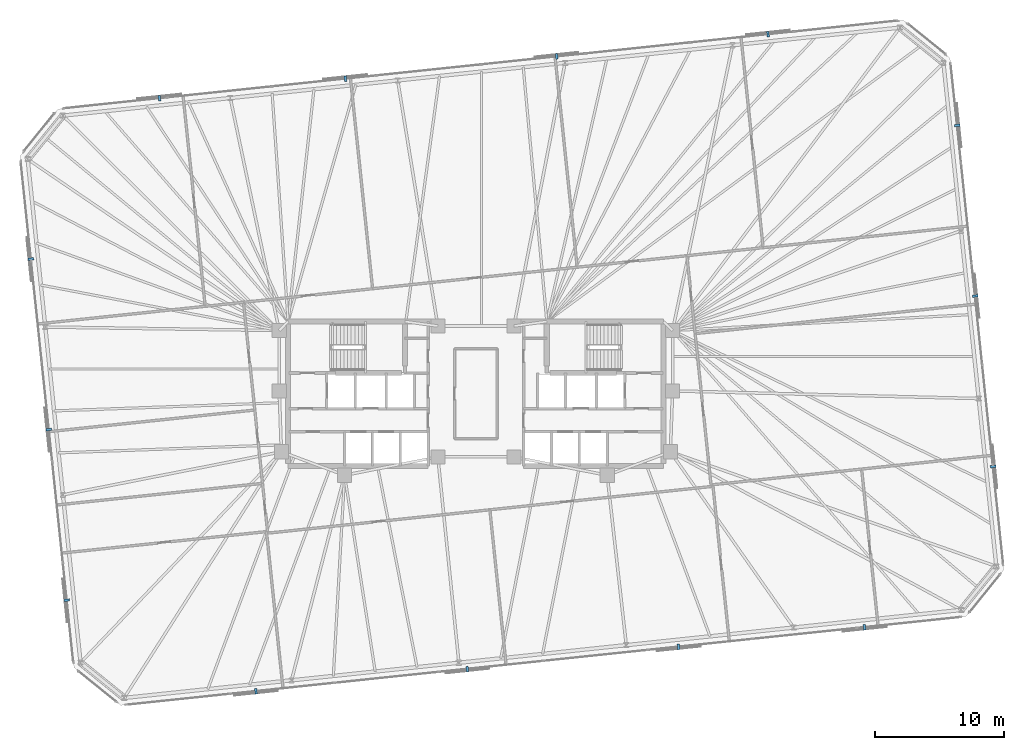
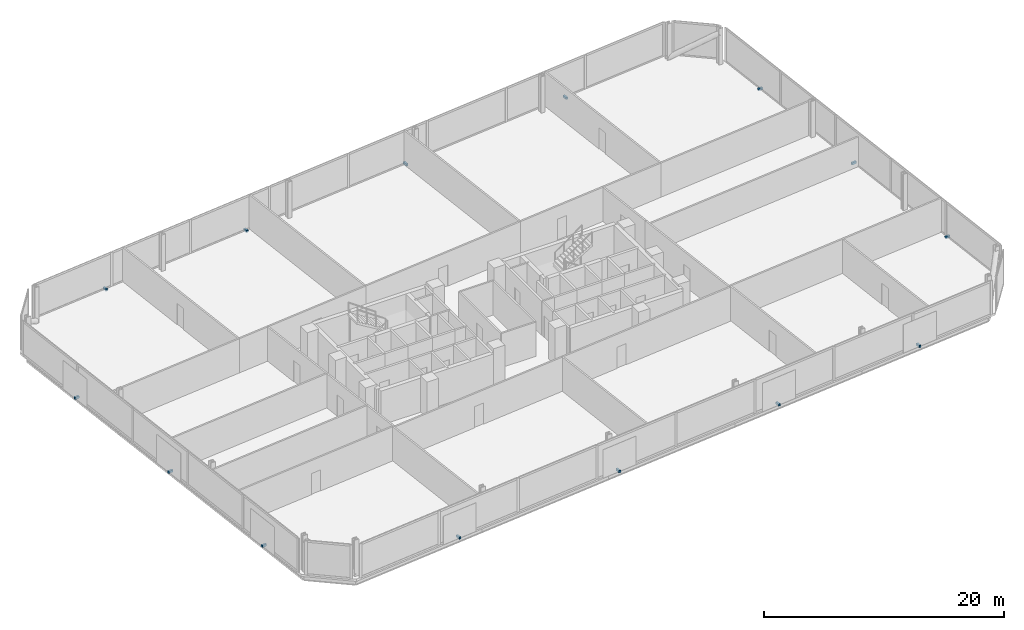
# One storey, part 17 of 18: 14 discrete accessories.
"""IFC4 building model written with IfcOpenShell, lengths in metres."""

import ifcopenshell
import ifcopenshell.guid

model = None  # the IFC model being written
_history = None  # IfcOwnerHistory: only IFC2X3 demands one
_inside = {}  # id of a spatial element -> (the spatial element, [elements in it])
_under = {}  # id of a project, library or spatial element -> (it, [spatial elements below it])
_declared = {}  # id of a project -> (the project, [libraries it declares])
_typed = {}  # id of a type object -> (the type object, [elements of that type])
_made_of = {}  # id of a material, layer set ... -> (it, [elements and type objects made of it])


def new_model(schema):
    """Start an empty IFC model of exactly this schema.

    Asked for "IFC4X3", IfcOpenShell would pick the latest addendum, in which some entities
    have other attributes; the version numbers below select the first issue.
    IFC2X3 requires an IfcOwnerHistory on every rooted entity: one is made here for all.
    """
    global model, _history
    if schema == "IFC4X3":
        model = ifcopenshell.file(schema_version=(4, 3, 0, 0))
    else:
        model = ifcopenshell.file(schema=schema)
    _inside.clear()
    _under.clear()
    _declared.clear()
    _typed.clear()
    _made_of.clear()
    _history = None
    if model.schema == "IFC2X3":
        org = make("IfcOrganization", Name="unknown")
        user = make(
            "IfcPersonAndOrganization",
            ThePerson=make("IfcPerson", FamilyName="unknown"),
            TheOrganization=org,
        )
        app = make(
            "IfcApplication",
            ApplicationDeveloper=org,
            Version="unknown",
            ApplicationFullName="unknown",
            ApplicationIdentifier="unknown",
        )
        _history = make(
            "IfcOwnerHistory",
            OwningUser=user,
            OwningApplication=app,
            ChangeAction="ADDED",
            CreationDate=0,
        )
    return model


def make(cls, **values):
    """One entity of the class cls with the attributes given. An attribute that is None is left unset."""
    return model.create_entity(
        cls, **{name: value for name, value in values.items() if value is not None}
    )


def rooted(cls, **values):
    """An entity with a GlobalId (a new one), such as an element, a storey or a relation."""
    return make(cls, GlobalId=ifcopenshell.guid.new(), OwnerHistory=_history, **values)


def si_unit(unit_type, name, prefix=None):
    """IfcSIUnit, for example si_unit("LENGTHUNIT", "METRE", prefix="MILLI")."""
    return make("IfcSIUnit", UnitType=unit_type, Prefix=prefix, Name=name)


def assignment(units):
    """IfcUnitAssignment: the units of a project."""
    return None if units is None else make("IfcUnitAssignment", Units=units)


def point(xyz):
    """IfcCartesianPoint."""
    return None if xyz is None else make("IfcCartesianPoint", Coordinates=xyz)


def direction(xyz):
    """IfcDirection."""
    return None if xyz is None else make("IfcDirection", DirectionRatios=xyz)


def frame(location, z_axis=None, x_axis=None):
    """IfcAxis2Placement3D, a coordinate frame: its origin and axes. An axis left out is left unset."""
    return make(
        "IfcAxis2Placement3D",
        Location=point(location),
        Axis=direction(z_axis),
        RefDirection=direction(x_axis),
    )


def frame_2d(location, x_axis=None):
    """IfcAxis2Placement2D, a coordinate frame in the plane: its origin and x axis."""
    return make(
        "IfcAxis2Placement2D", Location=point(location), RefDirection=direction(x_axis)
    )


def origin():
    """The frame at (0, 0, 0) with its axes left unset."""
    return frame((0.0, 0.0, 0.0))


def origin_2d():
    """The frame at (0, 0) in the plane with its x axis left unset."""
    return frame_2d((0.0, 0.0))


def place(relative_to, where):
    """IfcLocalPlacement: puts the frame where relative to a parent placement (None: the world)."""
    return make(
        "IfcLocalPlacement", PlacementRelTo=relative_to, RelativePlacement=where
    )


def context(
    kind, dimensions, precision=None, world=None, true_north=None, identifier=None
):
    """IfcGeometricRepresentationContext, for example the 3D "Model" context."""
    return make(
        "IfcGeometricRepresentationContext",
        ContextIdentifier=identifier,
        ContextType=kind,
        CoordinateSpaceDimension=dimensions,
        Precision=precision,
        WorldCoordinateSystem=world,
        TrueNorth=true_north,
    )


def subcontext(parent, identifier, kind, view, scale=None):
    """IfcGeometricRepresentationSubContext, for example "Body" below "Model"."""
    return make(
        "IfcGeometricRepresentationSubContext",
        ContextIdentifier=identifier,
        ContextType=kind,
        ParentContext=parent,
        TargetScale=scale,
        TargetView=view,
    )


def project(units=None, contexts=None):
    """IfcProject with its units and contexts."""
    return rooted(
        "IfcProject",
        Name="project",
        RepresentationContexts=contexts,
        UnitsInContext=assignment(units),
    )


def spatial(cls, under=None, at=None, **own):
    """A site, building, storey or space (cls), placed at a placement, below another one or the project."""
    s = rooted(cls, ObjectPlacement=at, **own)
    if under is not None:
        _under.setdefault(under.id(), (under, []))[1].append(s)
    return s


def profile(cls, at=None, kind="AREA", **sizes):
    """A parametric profile (cls). Its sizes go by their IFC names, for example OverallWidth=200.0."""
    return make(cls, ProfileType=kind, Position=at, **sizes)


def rectangle(**sizes):
    """IfcRectangleProfileDef."""
    return profile("IfcRectangleProfileDef", **sizes)


def extrude(swept, where, along, depth):
    """IfcExtrudedAreaSolid: the profile swept, set in the frame where, extruded along a direction by depth."""
    return make(
        "IfcExtrudedAreaSolid",
        SweptArea=swept,
        Position=where,
        ExtrudedDirection=direction(along),
        Depth=depth,
    )


def shape(context_of_items, identifier, shape_type, items):
    """IfcShapeRepresentation: the items that make up one representation, for example the "Body"."""
    return make(
        "IfcShapeRepresentation",
        ContextOfItems=context_of_items,
        RepresentationIdentifier=identifier,
        RepresentationType=shape_type,
        Items=items,
    )


def material(Name=None, Category=None):
    """IfcMaterial."""
    return make("IfcMaterial", Name=Name, Category=Category)


def made_of(thing, what):
    """Note that an element or type object is made of a material, layer set ...; save() writes the relation."""
    if what is not None:
        _made_of.setdefault(what.id(), (what, []))[1].append(thing)
    return thing


def type_object(cls, material=None, **own):
    """A type object (cls), such as IfcWallType, which elements share."""
    return made_of(rooted(cls, **own), material)


def element(
    cls,
    number,
    at=None,
    inside=None,
    cuts=None,
    type_object=None,
    material=None,
    context=None,
    identifier="Body",
    shape_type=None,
    held_by="IfcProductDefinitionShape",
    body=None,
    shapes=None,
    **own,
):
    """One element of the class cls, such as IfcWall. Its Tag is "e" and its number.

    at: its placement. inside: the storey or other place that contains it. cuts: it is an
    opening in that element (IfcRelVoidsElement). A single representation is given by context,
    identifier, shape_type and body (its items); several are given by shapes. held_by: the class
    of the entity that holds the representations. save() writes the other relations.
    """
    e = rooted(cls, Tag="e%d" % number, ObjectPlacement=at, **own)
    if body is not None:
        shapes = [shape(context, identifier, shape_type, body)]
    if shapes is not None:
        e.Representation = make(held_by, Representations=shapes)
    if inside is not None:
        _inside.setdefault(inside.id(), (inside, []))[1].append(e)
    if cuts is not None:
        rooted(
            "IfcRelVoidsElement", RelatingBuildingElement=cuts, RelatedOpeningElement=e
        )
    if type_object is not None:
        _typed.setdefault(type_object.id(), (type_object, []))[1].append(e)
    return made_of(e, material)


def aggregate(whole, parts):
    """IfcRelAggregates: a whole, such as a stair, and the parts it consists of."""
    return rooted("IfcRelAggregates", RelatingObject=whole, RelatedObjects=parts)


def save(model, path):
    """Write the relations noted so far, then the file.

    IfcRelAggregates (storeys below a building ...), IfcRelContainedInSpatialStructure (elements
    in a storey), IfcRelDefinesByType, IfcRelAssociatesMaterial and IfcRelDeclares: one each for
    every whole, place, type object, material and project.
    """
    for whole, parts in _under.values():
        aggregate(whole, parts)
    for where, things in _inside.values():
        rooted(
            "IfcRelContainedInSpatialStructure",
            RelatedElements=things,
            RelatingStructure=where,
        )
    for kind, things in _typed.values():
        rooted("IfcRelDefinesByType", RelatedObjects=things, RelatingType=kind)
    for what, things in _made_of.values():
        rooted("IfcRelAssociatesMaterial", RelatedObjects=things, RelatingMaterial=what)
    for by, libraries in _declared.values():
        rooted("IfcRelDeclares", RelatingContext=by, RelatedDefinitions=libraries)
    model.write(path)


model = new_model("IFC4")

# Units and contexts
model_context = context("Model", 3, precision=1e-05, world=origin(), true_north=direction((0.0, 1.0)))
body_context = subcontext(model_context, "Body", "Model", "MODEL_VIEW")
ifc_project = project(units=[si_unit("LENGTHUNIT", "METRE"), si_unit("AREAUNIT", "SQUARE_METRE"), si_unit("VOLUMEUNIT", "CUBIC_METRE"), si_unit("PLANEANGLEUNIT", "RADIAN"), si_unit("MASSUNIT", "GRAM", prefix="KILO")], contexts=[model_context])

# Site, building, storey
site_placement = place(None, origin())
site = spatial("IfcSite", under=ifc_project, at=site_placement, CompositionType="ELEMENT")
building_placement = place(site_placement, origin())
building = spatial("IfcBuilding", under=site, at=building_placement, Name="Menara Jurai Vektor", CompositionType="ELEMENT")
storey_placement = place(building_placement, frame((0.0, 0.0, 94.800048828125)))
storey = spatial("IfcBuildingStorey", under=building, at=storey_placement, Name="L23", CompositionType="ELEMENT", Elevation=94.800048828125)

# Discrete accessories
ifc_material = material(Name="Steel S355", Category="steel")
discrete_accessory_type = type_object("IfcDiscreteAccessoryType", Name="ENV-ACC-BRACKET", PredefinedType="BRACKET", material=ifc_material)
for number, where, z_axis, x_axis, name in (
    (1, (-17.052001953125, -23.07470703125, -0.1298828125), (0.0, 0.0, 1.0), (0.994521895368, 0.104528463268, 0.0), "Solar Screen Stand-Off Bracket L23-S01"),
    (2, (-0.667236328125, -21.3525390625, -0.1298828125), (0.0, 0.0, 1.0), (0.994521895368, 0.104528463268, 0.0), "Solar Screen Stand-Off Bracket L23-S02"),
    (3, (15.717529296875, -19.63037109375, -0.1298828125), (0.0, 0.0, 1.0), (0.994521895368, 0.104528463268, 0.0), "Solar Screen Stand-Off Bracket L23-S03"),
    (4, (30.13623046875, -18.114990234375, -0.1298828125), (0.0, 0.0, 1.0), (0.994521895368, 0.104528463268, 0.0), "Solar Screen Stand-Off Bracket L23-S04"),
    (5, (40.105712890625, -5.648193359375, -0.1298828125), (0.0, 0.0, 1.0), (-0.104528463268, 0.994521895368, 0.0), "Solar Screen Stand-Off Bracket L23-S05"),
    (6, (38.71533203125, 7.5791015625, -0.1298828125), (0.0, 0.0, 1.0), (-0.104528463268, 0.994521895368, 0.0), "Solar Screen Stand-Off Bracket L23-S06"),
    (7, (37.3251953125, 20.80615234375, -0.1298828125), (0.0, 0.0, 1.0), (-0.104528463268, 0.994521895368, 0.0), "Solar Screen Stand-Off Bracket L23-S07"),
    (8, (22.65185546875, 27.87451171875, -0.1298828125), (0.0, 0.0, 1.0), (-0.994521895368, -0.104528463268, 0.0), "Solar Screen Stand-Off Bracket L23-S08"),
    (9, (6.26708984375, 26.152587890625, -0.1298828125), (0.0, 0.0, 1.0), (-0.994521895368, -0.104528463268, 0.0), "Solar Screen Stand-Off Bracket L23-S09"),
    (10, (-10.11767578125, 24.430419921875, -0.1298828125), (0.0, 0.0, 1.0), (-0.994521895368, -0.104528463268, 0.0), "Solar Screen Stand-Off Bracket L23-S10"),
    (11, (-24.5361328125, 22.9150390625, -0.1298828125), (0.0, 0.0, 1.0), (-0.994521895368, -0.104528463268, 0.0), "Solar Screen Stand-Off Bracket L23-S11"),
    (12, (-34.505615234375, 10.447998046875, -0.1298828125), (0.0, 0.0, 1.0), (0.104528463268, -0.994521895368, 0.0), "Solar Screen Stand-Off Bracket L23-S12"),
    (13, (-33.115478515625, -2.779052734375, -0.1298828125), (0.0, 0.0, 1.0), (0.104528463268, -0.994521895368, 0.0), "Solar Screen Stand-Off Bracket L23-S13"),
    (14, (-31.72509765625, -16.006103515625, -0.1298828125), (0.0, 0.0, 1.0), (0.104528463268, -0.994521895368, 0.0), "Solar Screen Stand-Off Bracket L23-S14"),
):
    element("IfcDiscreteAccessory", number, at=place(storey_placement, frame(where, z_axis=z_axis, x_axis=x_axis)), inside=storey, type_object=discrete_accessory_type, Name=name, PredefinedType="BRACKET", context=body_context, shape_type="SweptSolid", body=[
        extrude(rectangle(XDim=0.179931640625, YDim=0.43994140625, at=origin_2d()), origin(), (0.0, 0.0, 1.0), 0.219970703125),
    ])

save(model, "model.ifc")
